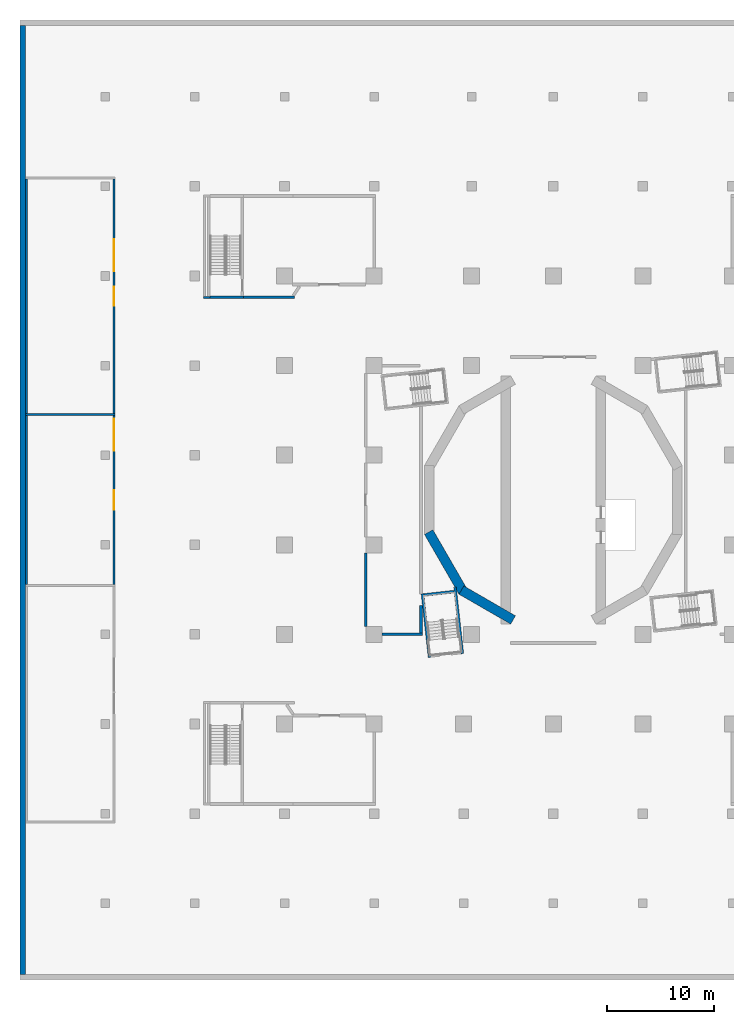
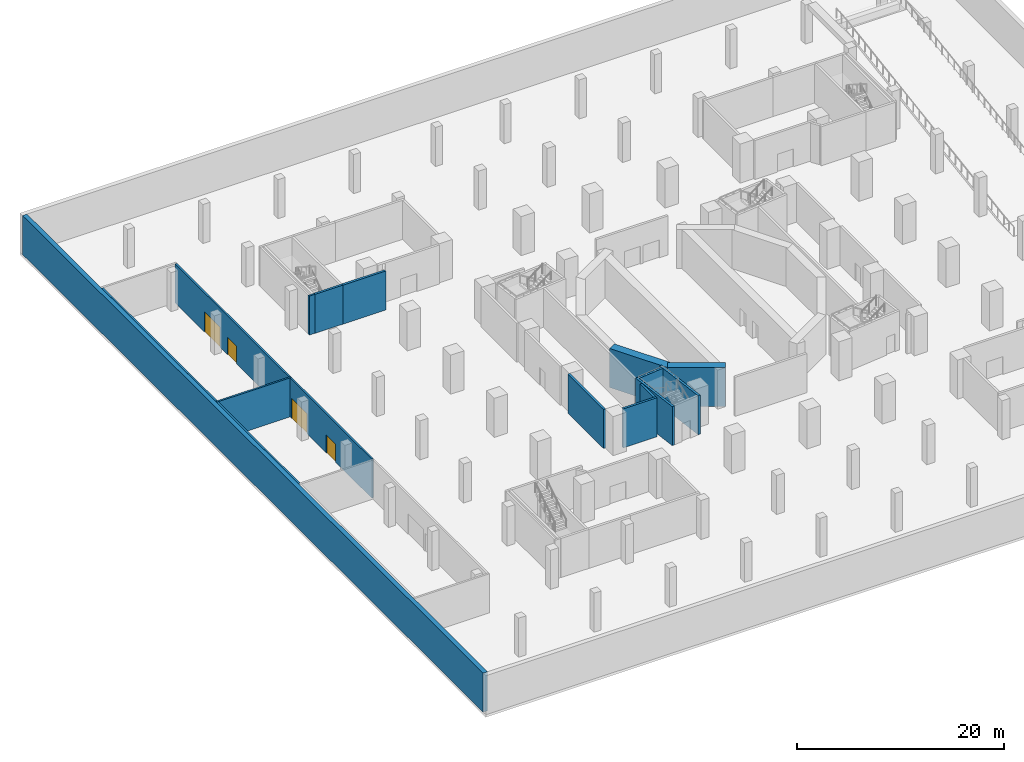
# One storey, part 5 of 20: 17 walls, 4 doors, 4 openings.
"""IFC4 building model written with IfcOpenShell, lengths in metres."""

from ifc_helpers import new_model, si_unit, direction, frame, frame_2d, origin, place, context, subcontext, project, spatial, rectangle, extrude, material, layer, layer_set, type_object, element, fill, save


model = new_model("IFC4")

# Units and contexts
model_context = context("Model", 3, precision=1e-05, world=origin(), true_north=direction((0.0, 1.0)))
body_context = subcontext(model_context, "Body", "Model", "MODEL_VIEW")
ifc_project = project(units=[si_unit("LENGTHUNIT", "METRE"), si_unit("AREAUNIT", "SQUARE_METRE"), si_unit("VOLUMEUNIT", "CUBIC_METRE"), si_unit("PLANEANGLEUNIT", "RADIAN"), si_unit("MASSUNIT", "GRAM", prefix="KILO")], contexts=[model_context])

# Site, building, storey
site_placement = place(None, origin())
site = spatial("IfcSite", under=ifc_project, at=site_placement, CompositionType="ELEMENT")
building_placement = place(site_placement, origin())
building = spatial("IfcBuilding", under=site, at=building_placement, Name="Cantera Rosa Tower", CompositionType="ELEMENT")
storey_placement = place(building_placement, frame((0.0, 0.0, -5.0)))
storey = spatial("IfcBuildingStorey", under=building, at=storey_placement, Name="B1", CompositionType="ELEMENT", Elevation=-5.0)

# Wall
ifc_material_1 = material(Name="Masonry blockwork", Category="masonry")
ifc_layer_1 = layer(ifc_material_1, 0.199951171875)
ifc_layer_set_1 = layer_set([ifc_layer_1], Name="Blockwork partition 200")
wall_type_1 = type_object("IfcWallType", Name="Blockwork partition 200", PredefinedType="PARTITIONING", material=ifc_layer_set_1)
wall_1_placement = place(storey_placement, frame((-32.800048828125, 19.0, 0.0), z_axis=(0.0, 0.0, 1.0), x_axis=(1.0, 0.0, 0.0)))
element("IfcWall", 1, at=wall_1_placement, inside=storey, type_object=wall_type_1, Name="Partition B1-27", PredefinedType="PARTITIONING", context=body_context, shape_type="SweptSolid", body=[
    extrude(rectangle(XDim=0.625, YDim=0.199951171875, at=frame_2d((0.3125, 0.0))), origin(), (0.0, 0.0, 1.0), 4.60009765625),
])

# Wall, openings, doors
wall_2_placement = place(storey_placement, frame((-41.199951171875, -7.89990234375, 0.0), z_axis=(0.0, 0.0, 1.0), x_axis=(0.0, 1.0, 0.0)))
wall_2 = element("IfcWall", 2, at=wall_2_placement, inside=storey, type_object=wall_type_1, Name="Partition B1-65", PredefinedType="PARTITIONING", context=body_context, shape_type="SweptSolid", body=[
    extrude(rectangle(XDim=15.7998046875, YDim=0.199951171875, at=frame_2d((7.89990234375, 0.0))), origin(), (0.0, 0.0, 1.0), 4.60009765625),
])
opening_1_placement = place(wall_2_placement, frame((7.0, 0.0, 0.0)))
opening_1 = element("IfcOpeningElement", 3, at=opening_1_placement, cuts=wall_2, Name="Opening B1-015", PredefinedType="OPENING", context=body_context, shape_type="SweptSolid", body=[
    extrude(rectangle(XDim=1.800048828125, YDim=2.10009765625, at=frame_2d((0.89990234375, 1.050048828125))), frame((0.0, 0.10986328125, 0.0), z_axis=(0.0, -1.0, 0.0), x_axis=(1.0, 0.0, 0.0)), (0.0, 0.0, 1.0), 0.219970703125),
])
opening_2_placement = place(wall_2_placement, frame((12.5, 0.0, 0.0)))
opening_2 = element("IfcOpeningElement", 4, at=opening_2_placement, cuts=wall_2, Name="Opening B1-016", PredefinedType="OPENING", context=body_context, shape_type="SweptSolid", body=[
    extrude(rectangle(XDim=3.0, YDim=2.39990234375, at=frame_2d((1.5, 1.199951171875))), frame((0.0, 0.10986328125, 0.0), z_axis=(0.0, -1.0, 0.0), x_axis=(1.0, 0.0, 0.0)), (0.0, 0.0, 1.0), 0.219970703125),
])
ifc_material_2 = material(Name="Timber", Category="wood")
door_type_1 = type_object("IfcDoorType", Name="Double door 1800x2100", OperationType="NOTDEFINED", PredefinedType="DOOR", material=ifc_material_2)
door_1_placement = place(opening_1_placement, origin())
door_1 = element("IfcDoor", 5, at=door_1_placement, inside=storey, type_object=door_type_1, Name="Door B1-015", OperationType="DOUBLE_DOOR_SINGLE_SWING", OverallHeight=2.10009765625, OverallWidth=1.800048828125, PredefinedType="DOOR", context=body_context, shape_type="SweptSolid", body=[
    extrude(rectangle(XDim=1.800048828125, YDim=2.10009765625, at=frame_2d((0.89990234375, 1.050048828125))), frame((0.0, 0.02490234375, 0.0), z_axis=(0.0, -1.0, 0.0), x_axis=(1.0, 0.0, 0.0)), (0.0, 0.0, 1.0), 0.050048828125),
])
fill(opening_1, door_1)
ifc_material_3 = material(Name="Steel S355J2 (EN 10025-2)", Category="steel")
door_type_2 = type_object("IfcDoorType", Name="Roller shutter gate 3000x2400", OperationType="NOTDEFINED", PredefinedType="GATE", material=ifc_material_3)
door_2_placement = place(opening_2_placement, origin())
door_2 = element("IfcDoor", 6, at=door_2_placement, inside=storey, type_object=door_type_2, Name="Door B1-016", OperationType="ROLLINGUP", OverallHeight=2.39990234375, OverallWidth=3.0, PredefinedType="GATE", context=body_context, shape_type="SweptSolid", body=[
    extrude(rectangle(XDim=3.0, YDim=2.39990234375, at=frame_2d((1.5, 1.199951171875))), frame((0.0, 0.02490234375, 0.0), z_axis=(0.0, -1.0, 0.0), x_axis=(1.0, 0.0, 0.0)), (0.0, 0.0, 1.0), 0.050048828125),
])
fill(opening_2, door_2)

wall_3_placement = place(storey_placement, frame((-41.199951171875, 8.10009765625, 0.0), z_axis=(0.0, 0.0, 1.0), x_axis=(0.0, 1.0, 0.0)))
wall_3 = element("IfcWall", 7, at=wall_3_placement, inside=storey, type_object=wall_type_1, Name="Partition B1-66", PredefinedType="PARTITIONING", context=body_context, shape_type="SweptSolid", body=[
    extrude(rectangle(XDim=22.0, YDim=0.199951171875, at=frame_2d((11.0, 0.0))), origin(), (0.0, 0.0, 1.0), 4.60009765625),
])
opening_3_placement = place(wall_3_placement, frame((10.10009765625, 0.0, 0.0)))
opening_3 = element("IfcOpeningElement", 8, at=opening_3_placement, cuts=wall_3, Name="Opening B1-017", PredefinedType="OPENING", context=body_context, shape_type="SweptSolid", body=[
    extrude(rectangle(XDim=1.800048828125, YDim=2.10009765625, at=frame_2d((0.89990234375, 1.050048828125))), frame((0.0, 0.10986328125, 0.0), z_axis=(0.0, -1.0, 0.0), x_axis=(1.0, 0.0, 0.0)), (0.0, 0.0, 1.0), 0.219970703125),
])
opening_4_placement = place(wall_3_placement, frame((13.35009765625, 0.0, 0.0)))
opening_4 = element("IfcOpeningElement", 9, at=opening_4_placement, cuts=wall_3, Name="Opening B1-018", PredefinedType="OPENING", context=body_context, shape_type="SweptSolid", body=[
    extrude(rectangle(XDim=3.0, YDim=2.39990234375, at=frame_2d((1.5, 1.199951171875))), frame((0.0, 0.10986328125, 0.0), z_axis=(0.0, -1.0, 0.0), x_axis=(1.0, 0.0, 0.0)), (0.0, 0.0, 1.0), 0.219970703125),
])
door_3_placement = place(opening_3_placement, origin())
door_3 = element("IfcDoor", 10, at=door_3_placement, inside=storey, type_object=door_type_1, Name="Door B1-017", OperationType="DOUBLE_DOOR_SINGLE_SWING", OverallHeight=2.10009765625, OverallWidth=1.800048828125, PredefinedType="DOOR", context=body_context, shape_type="SweptSolid", body=[
    extrude(rectangle(XDim=1.800048828125, YDim=2.10009765625, at=frame_2d((0.89990234375, 1.050048828125))), frame((0.0, 0.02490234375, 0.0), z_axis=(0.0, -1.0, 0.0), x_axis=(1.0, 0.0, 0.0)), (0.0, 0.0, 1.0), 0.050048828125),
])
fill(opening_3, door_3)
door_4_placement = place(opening_4_placement, origin())
door_4 = element("IfcDoor", 11, at=door_4_placement, inside=storey, type_object=door_type_2, Name="Door B1-018", OperationType="ROLLINGUP", OverallHeight=2.39990234375, OverallWidth=3.0, PredefinedType="GATE", context=body_context, shape_type="SweptSolid", body=[
    extrude(rectangle(XDim=3.0, YDim=2.39990234375, at=frame_2d((1.5, 1.199951171875))), frame((0.0, 0.02490234375, 0.0), z_axis=(0.0, -1.0, 0.0), x_axis=(1.0, 0.0, 0.0)), (0.0, 0.0, 1.0), 0.050048828125),
])
fill(opening_4, door_4)

# Walls
wall_4_placement = place(storey_placement, frame((-49.39990234375, -7.89990234375, 0.0), z_axis=(0.0, 0.0, 1.0), x_axis=(0.0, 1.0, 0.0)))
element("IfcWall", 12, at=wall_4_placement, inside=storey, type_object=wall_type_1, Name="Partition B1-69", PredefinedType="PARTITIONING", context=body_context, shape_type="SweptSolid", body=[
    extrude(rectangle(XDim=15.7998046875, YDim=0.199951171875, at=frame_2d((7.89990234375, 0.0))), origin(), (0.0, 0.0, 1.0), 4.60009765625),
])
wall_5_placement = place(storey_placement, frame((-49.39990234375, 8.10009765625, 0.0), z_axis=(0.0, 0.0, 1.0), x_axis=(0.0, 1.0, 0.0)))
element("IfcWall", 13, at=wall_5_placement, inside=storey, type_object=wall_type_1, Name="Partition B1-70", PredefinedType="PARTITIONING", context=body_context, shape_type="SweptSolid", body=[
    extrude(rectangle(XDim=22.0, YDim=0.199951171875, at=frame_2d((11.0, 0.0))), origin(), (0.0, 0.0, 1.0), 4.60009765625),
])
wall_6_placement = place(storey_placement, frame((-49.5, 8.0, 0.0), z_axis=(0.0, 0.0, 1.0), x_axis=(1.0, 0.0, 0.0)))
element("IfcWall", 14, at=wall_6_placement, inside=storey, type_object=wall_type_1, Name="Partition B1-72", PredefinedType="PARTITIONING", context=body_context, shape_type="SweptSolid", body=[
    extrude(rectangle(XDim=8.39990234375, YDim=0.199951171875, at=frame_2d((4.199951171875, 0.0))), origin(), (0.0, 0.0, 1.0), 4.60009765625),
])
ifc_material_4 = material(Name="Concrete C70/85", Category="concrete")
ifc_layer_2 = layer(ifc_material_4, 0.89990234375)
ifc_layer_set_2 = layer_set([ifc_layer_2], Name="Drum wall 900")
wall_type_2 = type_object("IfcWallType", Name="Drum wall 900", PredefinedType="SHEAR", material=ifc_layer_set_2)
wall_7_placement = place(storey_placement, frame((-3.77490234375, -11.242919921875, 0.0), z_axis=(0.0, 0.0, 1.0), x_axis=(-0.866026961591, 0.49999730179, 0.0)))
element("IfcWall", 15, at=wall_7_placement, inside=storey, type_object=wall_type_2, Name="Drum wall west 1 B1", PredefinedType="SHEAR", context=body_context, shape_type="SweptSolid", body=[
    extrude(rectangle(XDim=5.58740234375, YDim=0.89990234375, at=frame_2d((2.793701171875, 0.0))), origin(), (0.0, 0.0, 1.0), 4.60009765625),
])
wall_8_placement = place(storey_placement, frame((-8.44921875, -8.61376953125, 0.0), z_axis=(0.0, 0.0, 1.0), x_axis=(-0.499990282633, 0.866031014036, 0.0)))
element("IfcWall", 16, at=wall_8_placement, inside=storey, type_object=wall_type_2, Name="Drum wall west 2 B1", PredefinedType="SHEAR", context=body_context, shape_type="SweptSolid", body=[
    extrude(rectangle(XDim=6.470458984375, YDim=0.89990234375, at=frame_2d((3.2353515625, 0.0))), origin(), (0.0, 0.0, 1.0), 4.60009765625),
])
ifc_material_5 = material(Name="Concrete C50/60", Category="concrete")
ifc_layer_3 = layer(ifc_material_5, 0.25)
ifc_layer_set_3 = layer_set([ifc_layer_3], Name="External stair wall 250")
wall_type_3 = type_object("IfcWallType", Name="External stair wall 250", PredefinedType="SOLIDWALL", material=ifc_layer_set_3)
wall_9_placement = place(storey_placement, frame((-29.02490234375, 19.0, 0.0), z_axis=(0.0, 0.0, 1.0), x_axis=(-1.0, 0.0, 0.0)))
element("IfcWall", 17, at=wall_9_placement, inside=storey, type_object=wall_type_3, Name="Stair wall B1-28", PredefinedType="SOLIDWALL", context=body_context, shape_type="SweptSolid", body=[
    extrude(rectangle(XDim=3.150146484375, YDim=0.25, at=frame_2d((1.5751953125, 0.0))), origin(), (0.0, 0.0, 1.0), 4.60009765625),
])
ifc_material_6 = material(Name="Masonry blockwork", Category="masonry")
ifc_layer_4 = layer(ifc_material_6, 0.25)
ifc_layer_set_4 = layer_set([ifc_layer_4], Name="Fire-rated external wall 250")
wall_type_4 = type_object("IfcWallType", Name="Fire-rated external wall 250", PredefinedType="PARTITIONING", material=ifc_layer_set_4)
wall_10_placement = place(storey_placement, frame((-16.050048828125, -12.60009765625, 0.0), z_axis=(0.0, 0.0, 1.0), x_axis=(1.0, 0.0, 0.0)))
element("IfcWall", 18, at=wall_10_placement, inside=storey, type_object=wall_type_4, Name="Fire wall B1-6", PredefinedType="PARTITIONING", context=body_context, shape_type="SweptSolid", body=[
    extrude(rectangle(XDim=3.775146484375, YDim=0.25, at=frame_2d((1.8876953125, 0.0))), origin(), (0.0, 0.0, 1.0), 4.60009765625),
])
wall_11_placement = place(storey_placement, frame((-12.39990234375, -12.47509765625, 0.0), z_axis=(0.0, 0.0, 1.0), x_axis=(0.0, 1.0, 0.0)))
element("IfcWall", 19, at=wall_11_placement, inside=storey, type_object=wall_type_4, Name="Fire wall B1-14", PredefinedType="PARTITIONING", context=body_context, shape_type="SweptSolid", body=[
    extrude(rectangle(XDim=2.594482421875, YDim=0.25, at=frame_2d((1.29736328125, 0.0))), origin(), (0.0, 0.0, 1.0), 4.60009765625),
])
wall_12_placement = place(storey_placement, frame((-29.02490234375, 19.0, 0.0), z_axis=(0.0, 0.0, 1.0), x_axis=(1.0, 0.0, 0.0)))
element("IfcWall", 20, at=wall_12_placement, inside=storey, type_object=wall_type_4, Name="Fire wall B1-29", PredefinedType="PARTITIONING", context=body_context, shape_type="SweptSolid", body=[
    extrude(rectangle(XDim=4.75, YDim=0.25, at=frame_2d((2.375, 0.0))), origin(), (0.0, 0.0, 1.0), 4.60009765625),
])
ifc_material_7 = material(Name="Masonry blockwork", Category="masonry")
ifc_layer_5 = layer(ifc_material_7, 0.25)
ifc_layer_set_5 = layer_set([ifc_layer_5], Name="Fire-rated wall 250")
wall_type_5 = type_object("IfcWallType", Name="Fire-rated wall 250", PredefinedType="PARTITIONING", material=ifc_layer_set_5)
wall_13_placement = place(storey_placement, frame((-17.60009765625, -11.85009765625, 0.0), z_axis=(0.0, 0.0, 1.0), x_axis=(0.0, 1.0, 0.0)))
element("IfcWall", 21, at=wall_13_placement, inside=storey, type_object=wall_type_5, Name="Fire wall B1-11", PredefinedType="PARTITIONING", context=body_context, shape_type="SweptSolid", body=[
    extrude(rectangle(XDim=6.900146484375, YDim=0.25, at=frame_2d((3.4501953125, 0.0))), origin(), (0.0, 0.0, 1.0), 4.60009765625),
])
ifc_material_8 = material(Name="Concrete C50/60", Category="concrete")
ifc_layer_6 = layer(ifc_material_8, 0.25)
ifc_layer_set_6 = layer_set([ifc_layer_6], Name="RC stair wall 250 C50/60")
wall_type_6 = type_object("IfcWallType", Name="RC stair wall 250", PredefinedType="SOLIDWALL", material=ifc_layer_set_6)
wall_14_placement = place(storey_placement, frame((-11.609619140625, -14.752685546875, 0.0), z_axis=(0.0, 0.0, 1.0), x_axis=(-0.110310943534, 0.993897125329, 0.0)))
element("IfcWall", 22, at=wall_14_placement, inside=storey, type_object=wall_type_6, Name="Stair wall ST-13 B1-2", PredefinedType="SOLIDWALL", context=body_context, shape_type="SweptSolid", body=[
    extrude(rectangle(XDim=6.0, YDim=0.25, at=frame_2d((3.0, 0.0))), origin(), (0.0, 0.0, 1.0), 4.60009765625),
])
wall_15_placement = place(storey_placement, frame((-12.133544921875, -8.899658203125, 0.0), z_axis=(0.0, 0.0, 1.0), x_axis=(0.993904609394, 0.110243491536, 0.0)))
element("IfcWall", 23, at=wall_15_placement, inside=storey, type_object=wall_type_6, Name="Stair wall ST-13 B1-3", PredefinedType="SOLIDWALL", context=body_context, shape_type="SweptSolid", body=[
    extrude(rectangle(XDim=2.85009765625, YDim=0.25, at=frame_2d((1.425048828125, 0.0))), origin(), (0.0, 0.0, 1.0), 4.60009765625),
])
wall_16_placement = place(storey_placement, frame((-9.22021484375, -8.17822265625, 0.0), z_axis=(0.0, 0.0, 1.0), x_axis=(0.110299055694, -0.993898444668, 0.0)))
element("IfcWall", 24, at=wall_16_placement, inside=storey, type_object=wall_type_6, Name="Stair wall ST-13 B1-4", PredefinedType="SOLIDWALL", context=body_context, shape_type="SweptSolid", body=[
    extrude(rectangle(XDim=6.270751953125, YDim=0.25, at=frame_2d((3.13525390625, 0.0))), origin(), (0.0, 0.0, 1.0), 4.60009765625),
])
ifc_material_9 = material(Name="Concrete C40/50", Category="concrete")
ifc_layer_7 = layer(ifc_material_9, 0.5)
ifc_layer_set_7 = layer_set([ifc_layer_7], Name="Retaining wall 500")
wall_type_7 = type_object("IfcWallType", Name="Retaining wall 500", PredefinedType="SOLIDWALL", material=ifc_layer_set_7)
wall_17_placement = place(storey_placement, frame((-49.75, -44.5, 0.0), z_axis=(0.0, 0.0, 1.0), x_axis=(0.0, 1.0, 0.0)))
element("IfcWall", 25, at=wall_17_placement, inside=storey, type_object=wall_type_7, Name="Retaining wall W B1", PredefinedType="SOLIDWALL", context=body_context, shape_type="SweptSolid", body=[
    extrude(rectangle(XDim=89.0, YDim=0.5, at=frame_2d((44.5, 0.0))), origin(), (0.0, 0.0, 1.0), 4.60009765625),
])

save(model, "model.ifc")
